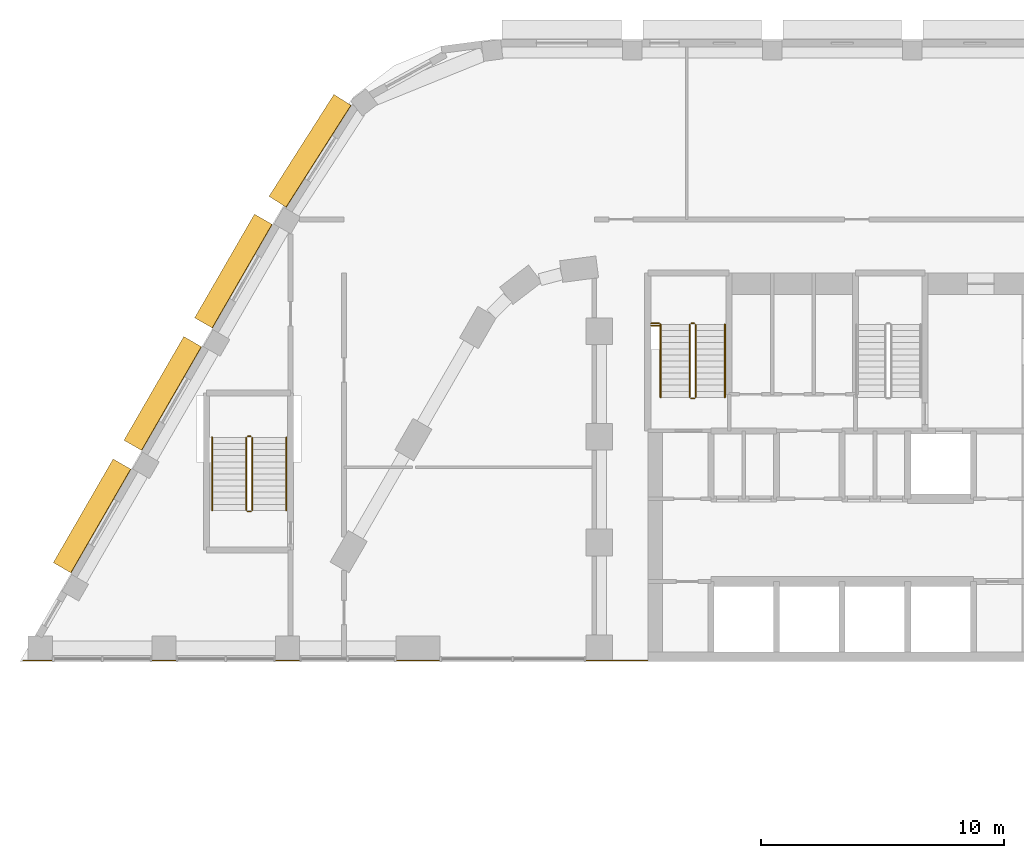
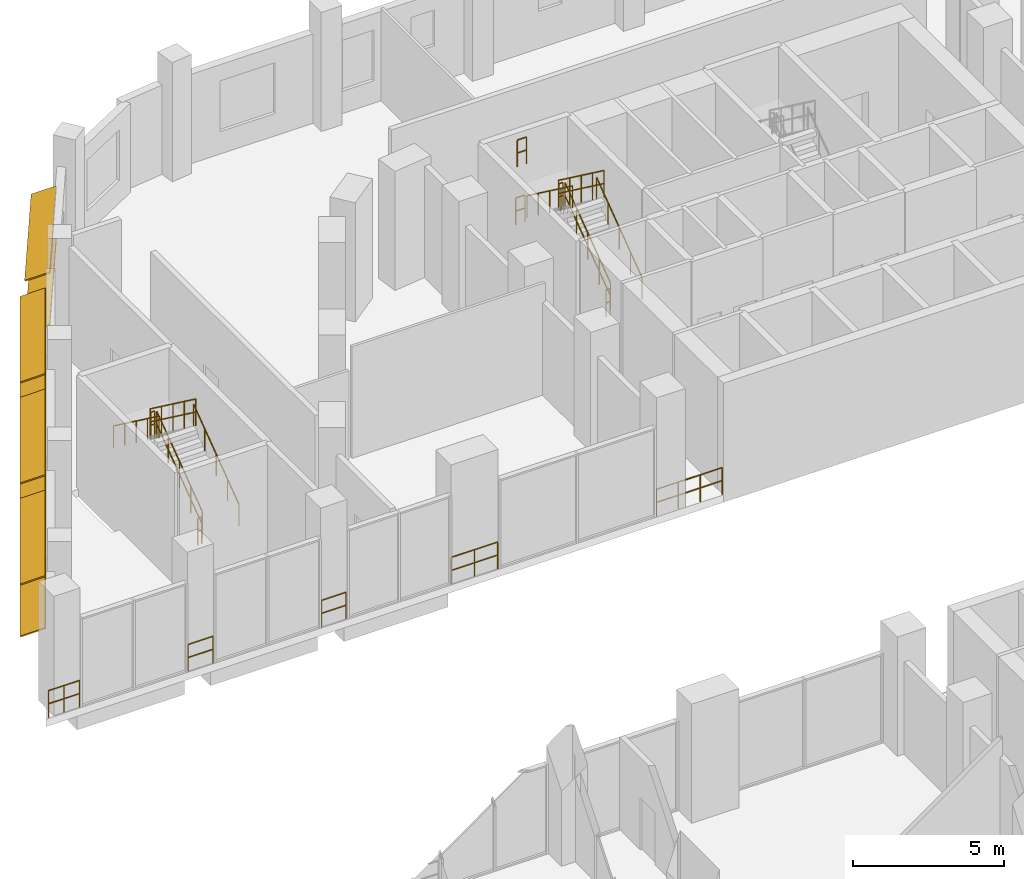
# One storey, part 38 of 45: 19 railings, 8 shading devices.
"""IFC4 building model written with IfcOpenShell, lengths in metres."""

from ifc_helpers import new_model, si_unit, direction, frame, origin, origin_2d, place, context, subcontext, project, spatial, rectangle, circle, extrude, material, material_profile, profile_set, type_object, element, save


model = new_model("IFC4")

# Units and contexts
model_context = context("Model", 3, precision=1e-05, world=origin(), true_north=direction((0.0, 1.0)))
body_context = subcontext(model_context, "Body", "Model", "MODEL_VIEW")
ifc_project = project(units=[si_unit("LENGTHUNIT", "METRE"), si_unit("AREAUNIT", "SQUARE_METRE"), si_unit("VOLUMEUNIT", "CUBIC_METRE"), si_unit("PLANEANGLEUNIT", "RADIAN"), si_unit("MASSUNIT", "GRAM", prefix="KILO")], contexts=[model_context])

# Site, building, storey
site_placement = place(None, origin())
site = spatial("IfcSite", under=ifc_project, at=site_placement, CompositionType="ELEMENT")
building_placement = place(site_placement, origin())
building = spatial("IfcBuilding", under=site, at=building_placement, Name="Nakaniwa Court", CompositionType="ELEMENT")
storey_placement = place(building_placement, frame((0.0, 0.0, 6.60009765625)))
storey = spatial("IfcBuildingStorey", under=building, at=storey_placement, Name="L01", CompositionType="ELEMENT", Elevation=6.60009765625)

# Shading devices
ifc_material_1 = material(Name="Perforated charcoal ceramic louvre blade")
ifc_material_profile = material_profile(ifc_material_1, rectangle(XDim=0.89990234375, YDim=0.050048828125, at=origin_2d()), Name="Perforated ceramic louvre blade")
ifc_profile_set = profile_set([ifc_material_profile], Name="Perforated charcoal ceramic louvre blade")
shading_device_type = type_object("IfcShadingDeviceType", Name="Perforated ceramic louvre blade", PredefinedType="JALOUSIE", material=ifc_profile_set)
for number, where, z_axis, x_axis, name in (
    (1, (56.184814453125, 105.6015625, 0.5498046875), (-0.499988503985, -0.86603204091, 0.0), (0.800109277096, -0.461929145323, 0.382683432365), "L01 perforated ceramic louvre blade w27 1"),
    (2, (56.184814453125, 105.6015625, 2.64990234375), (-0.499988503985, -0.86603204091, 0.0), (0.800109277096, -0.461929145323, 0.382683432365), "L01 perforated ceramic louvre blade w27 2"),
    (3, (53.2763671875, 100.564208984375, 0.5498046875), (-0.499951322638, -0.866053505849, 0.0), (0.800129108113, -0.461894794237, 0.382683432365), "L01 perforated ceramic louvre blade w28 1"),
    (4, (53.2763671875, 100.564208984375, 2.64990234375), (-0.499951322638, -0.866053505849, 0.0), (0.800129108113, -0.461894794237, 0.382683432365), "L01 perforated ceramic louvre blade w28 2"),
    (5, (50.3681640625, 95.526611328125, 0.5498046875), (-0.500009969958, -0.86601964755, 0.0), (0.800097827124, -0.461948977295, 0.382683432365), "L01 perforated ceramic louvre blade w29 1"),
    (6, (50.3681640625, 95.526611328125, 2.64990234375), (-0.500009969958, -0.86601964755, 0.0), (0.800097827124, -0.461948977295, 0.382683432365), "L01 perforated ceramic louvre blade w29 2"),
):
    element("IfcShadingDevice", number, at=place(storey_placement, frame(where, z_axis=z_axis, x_axis=x_axis)), inside=storey, type_object=shading_device_type, Name=name, PredefinedType="JALOUSIE", context=body_context, shape_type="SweptSolid", body=[
        extrude(rectangle(XDim=0.89990234375, YDim=0.050048828125, at=origin_2d()), origin(), (0.0, 0.0, 1.0), 4.9248046875),
    ])
for number, where, z_axis, x_axis, name in (
    (7, (59.44287109375, 110.513427734375, 0.5498046875), (-0.537237750098, -0.843430850675, 0.0), (0.775805827955, -0.494162831713, 0.392337116604), "L01 perforated ceramic louvre blade w53 1"),
    (8, (59.44287109375, 110.513427734375, 2.64990234375), (-0.537237750098, -0.843430850675, 0.0), (0.775805827955, -0.494162831713, 0.392337116604), "L01 perforated ceramic louvre blade w53 2"),
):
    element("IfcShadingDevice", number, at=place(storey_placement, frame(where, z_axis=z_axis, x_axis=x_axis)), inside=storey, type_object=shading_device_type, Name=name, PredefinedType="JALOUSIE", context=body_context, shape_type="SweptSolid", body=[
        extrude(rectangle(XDim=0.89990234375, YDim=0.050048828125, at=origin_2d()), origin(), (0.0, 0.0, 1.0), 4.970703125),
    ])

# Railings
ifc_material_2 = material(Name="Black powder coated steel guard", Category="steel")
railing_type_1 = type_object("IfcRailingType", Name="Stair guard 1100", PredefinedType="GUARDRAIL", material=ifc_material_2)
railing_1_placement = place(storey_placement, frame((73.97509765625, 98.27490234375, 0.1845703125)))
element("IfcRailing", 9, at=railing_1_placement, inside=storey, type_object=railing_type_1, Name="L01 ST1 stair guard 1", PredefinedType="GUARDRAIL", context=body_context, shape_type="SweptSolid", body=[
    extrude(circle(Radius=0.02392578125, at=origin_2d()), frame((0.0, 0.0, 1.076171875), z_axis=(0.0, 0.804440004972, 0.594033903411), x_axis=(-1.0, 0.0, 0.0)), (0.0, 0.0, 1.0), 3.729248046875),
    extrude(circle(Radius=0.02392578125, at=origin_2d()), frame((0.0, 0.0, 0.550048828125), z_axis=(0.0, 0.804440004972, 0.594033903411), x_axis=(-1.0, 0.0, 0.0)), (0.0, 0.0, 1.0), 3.729248046875),
    extrude(circle(Radius=0.02099609375, at=origin_2d()), origin(), (0.0, 0.0, 1.0), 1.052001953125),
    extrude(circle(Radius=0.02099609375, at=origin_2d()), frame((0.0, 0.75, 0.5537109375)), (0.0, 0.0, 1.0), 1.052001953125),
    extrude(circle(Radius=0.02099609375, at=origin_2d()), frame((0.0, 1.5, 1.107666015625)), (0.0, 0.0, 1.0), 1.052001953125),
    extrude(circle(Radius=0.02099609375, at=origin_2d()), frame((0.0, 2.25, 1.66162109375)), (0.0, 0.0, 1.0), 1.052001953125),
    extrude(circle(Radius=0.02099609375, at=origin_2d()), frame((0.0, 3.0, 2.21533203125)), (0.0, 0.0, 1.0), 1.052001953125),
])
railing_2_placement = place(storey_placement, frame((73.925048828125, 101.324951171875, 2.39990234375)))
element("IfcRailing", 10, at=railing_2_placement, inside=storey, type_object=railing_type_1, Name="L01 ST1 stair guard 2", PredefinedType="GUARDRAIL", context=body_context, shape_type="SweptSolid", body=[
    extrude(circle(Radius=0.02392578125, at=origin_2d()), frame((0.0, 0.0, 1.076171875), z_axis=(-1.0, 0.0, 0.0), x_axis=(0.0, -1.0, 0.0)), (0.0, 0.0, 1.0), 0.150146484375),
    extrude(circle(Radius=0.02392578125, at=origin_2d()), frame((0.0, 0.0, 0.550048828125), z_axis=(-1.0, 0.0, 0.0), x_axis=(0.0, -1.0, 0.0)), (0.0, 0.0, 1.0), 0.150146484375),
    extrude(circle(Radius=0.02099609375, at=origin_2d()), origin(), (0.0, 0.0, 1.0), 1.052001953125),
    extrude(circle(Radius=0.02099609375, at=origin_2d()), frame((-0.150146484375, 0.0, 0.0)), (0.0, 0.0, 1.0), 1.052001953125),
])
railing_3_placement = place(storey_placement, frame((73.72509765625, 101.27490234375, 2.58447265625)))
element("IfcRailing", 11, at=railing_3_placement, inside=storey, type_object=railing_type_1, Name="L01 ST1 stair guard 3", PredefinedType="GUARDRAIL", context=body_context, shape_type="SweptSolid", body=[
    extrude(circle(Radius=0.02392578125, at=origin_2d()), frame((0.0, 0.0, 1.076171875), z_axis=(0.0, -0.804440004972, 0.594033903411), x_axis=(1.0, 0.0, 0.0)), (0.0, 0.0, 1.0), 3.729248046875),
    extrude(circle(Radius=0.02392578125, at=origin_2d()), frame((0.0, 0.0, 0.550048828125), z_axis=(0.0, -0.804440004972, 0.594033903411), x_axis=(1.0, 0.0, 0.0)), (0.0, 0.0, 1.0), 3.729248046875),
    extrude(circle(Radius=0.02099609375, at=origin_2d()), origin(), (0.0, 0.0, 1.0), 1.052001953125),
    extrude(circle(Radius=0.02099609375, at=origin_2d()), frame((0.0, -0.75, 0.5537109375)), (0.0, 0.0, 1.0), 1.052001953125),
    extrude(circle(Radius=0.02099609375, at=origin_2d()), frame((0.0, -1.5, 1.107666015625)), (0.0, 0.0, 1.0), 1.052001953125),
    extrude(circle(Radius=0.02099609375, at=origin_2d()), frame((0.0, -2.25, 1.66162109375)), (0.0, 0.0, 1.0), 1.052001953125),
    extrude(circle(Radius=0.02099609375, at=origin_2d()), frame((0.0, -3.0, 2.21533203125)), (0.0, 0.0, 1.0), 1.052001953125),
])
railing_4_placement = place(storey_placement, frame((73.925048828125, 98.22509765625, 0.0)))
element("IfcRailing", 12, at=railing_4_placement, inside=storey, type_object=railing_type_1, Name="L01 ST1 stair guard 4", PredefinedType="GUARDRAIL", context=body_context, shape_type="SweptSolid", body=[
    extrude(circle(Radius=0.02392578125, at=origin_2d()), frame((0.0, 0.0, 1.076171875), z_axis=(-1.0, 0.0, 0.0), x_axis=(0.0, -1.0, 0.0)), (0.0, 0.0, 1.0), 0.150146484375),
    extrude(circle(Radius=0.02392578125, at=origin_2d()), frame((0.0, 0.0, 0.550048828125), z_axis=(-1.0, 0.0, 0.0), x_axis=(0.0, -1.0, 0.0)), (0.0, 0.0, 1.0), 0.150146484375),
    extrude(circle(Radius=0.02099609375, at=origin_2d()), origin(), (0.0, 0.0, 1.0), 1.052001953125),
    extrude(circle(Radius=0.02099609375, at=origin_2d()), frame((-0.150146484375, 0.0, 0.0)), (0.0, 0.0, 1.0), 1.052001953125),
])
for number, where, name in (
    (13, (72.125, 101.324951171875, 2.39990234375), "L01 ST1 landing side guard 1W"),
    (14, (72.125, 101.22509765625, 4.7998046875), "L01 ST1 floor edge guard 1W"),
):
    element("IfcRailing", number, at=place(storey_placement, frame(where)), inside=storey, type_object=railing_type_1, Name=name, PredefinedType="GUARDRAIL", context=body_context, shape_type="SweptSolid", body=[
        extrude(circle(Radius=0.02392578125, at=origin_2d()), frame((0.0, 0.0, 1.076171875), z_axis=(1.0, 0.0, 0.0), x_axis=(0.0, 1.0, 0.0)), (0.0, 0.0, 1.0), 0.35009765625),
        extrude(circle(Radius=0.02392578125, at=origin_2d()), frame((0.0, 0.0, 0.550048828125), z_axis=(1.0, 0.0, 0.0), x_axis=(0.0, 1.0, 0.0)), (0.0, 0.0, 1.0), 0.35009765625),
        extrude(circle(Radius=0.02099609375, at=origin_2d()), origin(), (0.0, 0.0, 1.0), 1.052001953125),
        extrude(circle(Radius=0.02099609375, at=origin_2d()), frame((0.35009765625, 0.0, 0.0)), (0.0, 0.0, 1.0), 1.052001953125),
    ])
railing_5_placement = place(storey_placement, frame((55.72509765625, 93.625, 0.1845703125)))
element("IfcRailing", 15, at=railing_5_placement, inside=storey, type_object=railing_type_1, Name="L01 SS2 stair guard 1", PredefinedType="GUARDRAIL", context=body_context, shape_type="SweptSolid", body=[
    extrude(circle(Radius=0.02392578125, at=origin_2d()), frame((0.0, 0.0, 1.076171875), z_axis=(0.0, 0.804440004972, 0.594033903411), x_axis=(-1.0, 0.0, 0.0)), (0.0, 0.0, 1.0), 3.729248046875),
    extrude(circle(Radius=0.02392578125, at=origin_2d()), frame((0.0, 0.0, 0.550048828125), z_axis=(0.0, 0.804440004972, 0.594033903411), x_axis=(-1.0, 0.0, 0.0)), (0.0, 0.0, 1.0), 3.729248046875),
    extrude(circle(Radius=0.02099609375, at=origin_2d()), origin(), (0.0, 0.0, 1.0), 1.052001953125),
    extrude(circle(Radius=0.02099609375, at=origin_2d()), frame((0.0, 0.75, 0.5537109375)), (0.0, 0.0, 1.0), 1.052001953125),
    extrude(circle(Radius=0.02099609375, at=origin_2d()), frame((0.0, 1.5, 1.107666015625)), (0.0, 0.0, 1.0), 1.052001953125),
    extrude(circle(Radius=0.02099609375, at=origin_2d()), frame((0.0, 2.25, 1.66162109375)), (0.0, 0.0, 1.0), 1.052001953125),
    extrude(circle(Radius=0.02099609375, at=origin_2d()), frame((0.0, 3.0, 2.21533203125)), (0.0, 0.0, 1.0), 1.052001953125),
])
railing_6_placement = place(storey_placement, frame((55.675048828125, 96.675048828125, 2.39990234375)))
element("IfcRailing", 16, at=railing_6_placement, inside=storey, type_object=railing_type_1, Name="L01 SS2 stair guard 2", PredefinedType="GUARDRAIL", context=body_context, shape_type="SweptSolid", body=[
    extrude(circle(Radius=0.02392578125, at=origin_2d()), frame((0.0, 0.0, 1.076171875), z_axis=(-1.0, 0.0, 0.0), x_axis=(0.0, -1.0, 0.0)), (0.0, 0.0, 1.0), 0.150146484375),
    extrude(circle(Radius=0.02392578125, at=origin_2d()), frame((0.0, 0.0, 0.550048828125), z_axis=(-1.0, 0.0, 0.0), x_axis=(0.0, -1.0, 0.0)), (0.0, 0.0, 1.0), 0.150146484375),
    extrude(circle(Radius=0.02099609375, at=origin_2d()), origin(), (0.0, 0.0, 1.0), 1.052001953125),
    extrude(circle(Radius=0.02099609375, at=origin_2d()), frame((-0.150146484375, 0.0, 0.0)), (0.0, 0.0, 1.0), 1.052001953125),
])
railing_7_placement = place(storey_placement, frame((55.47509765625, 96.625, 2.58447265625)))
element("IfcRailing", 17, at=railing_7_placement, inside=storey, type_object=railing_type_1, Name="L01 SS2 stair guard 3", PredefinedType="GUARDRAIL", context=body_context, shape_type="SweptSolid", body=[
    extrude(circle(Radius=0.02392578125, at=origin_2d()), frame((0.0, 0.0, 1.076171875), z_axis=(0.0, -0.804440004972, 0.594033903411), x_axis=(1.0, 0.0, 0.0)), (0.0, 0.0, 1.0), 3.729248046875),
    extrude(circle(Radius=0.02392578125, at=origin_2d()), frame((0.0, 0.0, 0.550048828125), z_axis=(0.0, -0.804440004972, 0.594033903411), x_axis=(1.0, 0.0, 0.0)), (0.0, 0.0, 1.0), 3.729248046875),
    extrude(circle(Radius=0.02099609375, at=origin_2d()), origin(), (0.0, 0.0, 1.0), 1.052001953125),
    extrude(circle(Radius=0.02099609375, at=origin_2d()), frame((0.0, -0.75, 0.5537109375)), (0.0, 0.0, 1.0), 1.052001953125),
    extrude(circle(Radius=0.02099609375, at=origin_2d()), frame((0.0, -1.5, 1.107666015625)), (0.0, 0.0, 1.0), 1.052001953125),
    extrude(circle(Radius=0.02099609375, at=origin_2d()), frame((0.0, -2.25, 1.66162109375)), (0.0, 0.0, 1.0), 1.052001953125),
    extrude(circle(Radius=0.02099609375, at=origin_2d()), frame((0.0, -3.0, 2.21533203125)), (0.0, 0.0, 1.0), 1.052001953125),
])
railing_8_placement = place(storey_placement, frame((55.675048828125, 93.574951171875, 0.0)))
element("IfcRailing", 18, at=railing_8_placement, inside=storey, type_object=railing_type_1, Name="L01 SS2 stair guard 4", PredefinedType="GUARDRAIL", context=body_context, shape_type="SweptSolid", body=[
    extrude(circle(Radius=0.02392578125, at=origin_2d()), frame((0.0, 0.0, 1.076171875), z_axis=(-1.0, 0.0, 0.0), x_axis=(0.0, -1.0, 0.0)), (0.0, 0.0, 1.0), 0.150146484375),
    extrude(circle(Radius=0.02392578125, at=origin_2d()), frame((0.0, 0.0, 0.550048828125), z_axis=(-1.0, 0.0, 0.0), x_axis=(0.0, -1.0, 0.0)), (0.0, 0.0, 1.0), 0.150146484375),
    extrude(circle(Radius=0.02099609375, at=origin_2d()), origin(), (0.0, 0.0, 1.0), 1.052001953125),
    extrude(circle(Radius=0.02099609375, at=origin_2d()), frame((-0.150146484375, 0.0, 0.0)), (0.0, 0.0, 1.0), 1.052001953125),
])
railing_9_placement = place(storey_placement, frame((71.985107421875, 87.449951171875, 0.0)))
element("IfcRailing", 19, at=railing_9_placement, inside=storey, type_object=railing_type_1, Name="GUARD GD-L01-016", PredefinedType="GUARDRAIL", context=body_context, shape_type="SweptSolid", body=[
    extrude(circle(Radius=0.02392578125, at=origin_2d()), frame((0.0, 0.0, 1.076171875), z_axis=(-1.0, 0.0, 0.0), x_axis=(0.0, -1.0, 0.0)), (0.0, 0.0, 1.0), 2.507080078125),
    extrude(circle(Radius=0.02392578125, at=origin_2d()), frame((0.0, 0.0, 0.550048828125), z_axis=(-1.0, 0.0, 0.0), x_axis=(0.0, -1.0, 0.0)), (0.0, 0.0, 1.0), 2.507080078125),
    extrude(circle(Radius=0.02099609375, at=origin_2d()), origin(), (0.0, 0.0, 1.0), 1.052001953125),
    extrude(circle(Radius=0.02099609375, at=origin_2d()), frame((-0.835693359375, 0.0, 0.0)), (0.0, 0.0, 1.0), 1.052001953125),
    extrude(circle(Radius=0.02099609375, at=origin_2d()), frame((-1.67138671875, 0.0, 0.0)), (0.0, 0.0, 1.0), 1.052001953125),
    extrude(circle(Radius=0.02099609375, at=origin_2d()), frame((-2.507080078125, 0.0, 0.0)), (0.0, 0.0, 1.0), 1.052001953125),
])
railing_10_placement = place(storey_placement, frame((63.426025390625, 87.449951171875, 0.0)))
element("IfcRailing", 20, at=railing_10_placement, inside=storey, type_object=railing_type_1, Name="GUARD GD-L01-017", PredefinedType="GUARDRAIL", context=body_context, shape_type="SweptSolid", body=[
    extrude(circle(Radius=0.02392578125, at=origin_2d()), frame((0.0, 0.0, 1.076171875), z_axis=(-1.0, 0.0, 0.0), x_axis=(0.0, -1.0, 0.0)), (0.0, 0.0, 1.0), 1.768310546875),
    extrude(circle(Radius=0.02392578125, at=origin_2d()), frame((0.0, 0.0, 0.550048828125), z_axis=(-1.0, 0.0, 0.0), x_axis=(0.0, -1.0, 0.0)), (0.0, 0.0, 1.0), 1.768310546875),
    extrude(circle(Radius=0.02099609375, at=origin_2d()), origin(), (0.0, 0.0, 1.0), 1.052001953125),
    extrude(circle(Radius=0.02099609375, at=origin_2d()), frame((-0.88427734375, 0.0, 0.0)), (0.0, 0.0, 1.0), 1.052001953125),
    extrude(circle(Radius=0.02099609375, at=origin_2d()), frame((-1.768310546875, 0.0, 0.0)), (0.0, 0.0, 1.0), 1.052001953125),
])
railing_11_placement = place(storey_placement, frame((57.643310546875, 87.449951171875, 0.0)))
element("IfcRailing", 21, at=railing_11_placement, inside=storey, type_object=railing_type_1, Name="GUARD GD-L01-018", PredefinedType="GUARDRAIL", context=body_context, shape_type="SweptSolid", body=[
    extrude(circle(Radius=0.02392578125, at=origin_2d()), frame((0.0, 0.0, 1.076171875), z_axis=(-1.0, 0.0, 0.0), x_axis=(0.0, -1.0, 0.0)), (0.0, 0.0, 1.0), 0.939453125),
    extrude(circle(Radius=0.02392578125, at=origin_2d()), frame((0.0, 0.0, 0.550048828125), z_axis=(-1.0, 0.0, 0.0), x_axis=(0.0, -1.0, 0.0)), (0.0, 0.0, 1.0), 0.939453125),
    extrude(circle(Radius=0.02099609375, at=origin_2d()), origin(), (0.0, 0.0, 1.0), 1.052001953125),
    extrude(circle(Radius=0.02099609375, at=origin_2d()), frame((-0.939453125, 0.0, 0.0)), (0.0, 0.0, 1.0), 1.052001953125),
])
railing_12_placement = place(storey_placement, frame((52.569580078125, 87.449951171875, 0.0)))
element("IfcRailing", 22, at=railing_12_placement, inside=storey, type_object=railing_type_1, Name="GUARD GD-L01-019", PredefinedType="GUARDRAIL", context=body_context, shape_type="SweptSolid", body=[
    extrude(circle(Radius=0.02392578125, at=origin_2d()), frame((0.0, 0.0, 1.076171875), z_axis=(-1.0, 0.0, 0.0), x_axis=(0.0, -1.0, 0.0)), (0.0, 0.0, 1.0), 0.95947265625),
    extrude(circle(Radius=0.02392578125, at=origin_2d()), frame((0.0, 0.0, 0.550048828125), z_axis=(-1.0, 0.0, 0.0), x_axis=(0.0, -1.0, 0.0)), (0.0, 0.0, 1.0), 0.95947265625),
    extrude(circle(Radius=0.02099609375, at=origin_2d()), origin(), (0.0, 0.0, 1.0), 1.052001953125),
    extrude(circle(Radius=0.02099609375, at=origin_2d()), frame((-0.95947265625, 0.0, 0.0)), (0.0, 0.0, 1.0), 1.052001953125),
])
railing_13_placement = place(storey_placement, frame((47.486083984375, 87.449951171875, 0.0)))
element("IfcRailing", 23, at=railing_13_placement, inside=storey, type_object=railing_type_1, Name="GUARD GD-L01-020", PredefinedType="GUARDRAIL", context=body_context, shape_type="SweptSolid", body=[
    extrude(circle(Radius=0.02392578125, at=origin_2d()), frame((0.0, 0.0, 1.076171875), z_axis=(-1.0, 0.0, 0.0), x_axis=(0.0, -1.0, 0.0)), (0.0, 0.0, 1.0), 1.18896484375),
    extrude(circle(Radius=0.02392578125, at=origin_2d()), frame((0.0, 0.0, 0.550048828125), z_axis=(-1.0, 0.0, 0.0), x_axis=(0.0, -1.0, 0.0)), (0.0, 0.0, 1.0), 1.18896484375),
    extrude(circle(Radius=0.02099609375, at=origin_2d()), origin(), (0.0, 0.0, 1.0), 1.052001953125),
    extrude(circle(Radius=0.02099609375, at=origin_2d()), frame((-0.594482421875, 0.0, 0.0)), (0.0, 0.0, 1.0), 1.052001953125),
    extrude(circle(Radius=0.02099609375, at=origin_2d()), frame((-1.18896484375, 0.0, 0.0)), (0.0, 0.0, 1.0), 1.052001953125),
])
ifc_material_3 = material(Name="Black powder coated steel handrail", Category="steel")
railing_type_2 = type_object("IfcRailingType", Name="Stair handrail 900", PredefinedType="HANDRAIL", material=ifc_material_3)
railing_14_placement = place(storey_placement, frame((75.175048828125, 98.27490234375, 0.1845703125)))
element("IfcRailing", 24, at=railing_14_placement, inside=storey, type_object=railing_type_2, Name="L01 ST1 stair handrail 1", PredefinedType="HANDRAIL", context=body_context, shape_type="SweptSolid", body=[
    extrude(circle(Radius=0.02392578125, at=origin_2d()), frame((0.0, 0.0, 0.8759765625), z_axis=(0.0, 0.804440004972, 0.594033903411), x_axis=(-1.0, 0.0, 0.0)), (0.0, 0.0, 1.0), 3.729248046875),
    extrude(circle(Radius=0.02099609375, at=origin_2d()), origin(), (0.0, 0.0, 1.0), 0.851806640625),
    extrude(circle(Radius=0.02099609375, at=origin_2d()), frame((0.0, 0.75, 0.5537109375)), (0.0, 0.0, 1.0), 0.851806640625),
    extrude(circle(Radius=0.02099609375, at=origin_2d()), frame((0.0, 1.5, 1.107666015625)), (0.0, 0.0, 1.0), 0.851806640625),
    extrude(circle(Radius=0.02099609375, at=origin_2d()), frame((0.0, 2.25, 1.66162109375)), (0.0, 0.0, 1.0), 0.851806640625),
    extrude(circle(Radius=0.02099609375, at=origin_2d()), frame((0.0, 3.0, 2.21533203125)), (0.0, 0.0, 1.0), 0.851806640625),
])
railing_15_placement = place(storey_placement, frame((72.52490234375, 101.27490234375, 2.58447265625)))
element("IfcRailing", 25, at=railing_15_placement, inside=storey, type_object=railing_type_2, Name="L01 ST1 stair handrail 2", PredefinedType="HANDRAIL", context=body_context, shape_type="SweptSolid", body=[
    extrude(circle(Radius=0.02392578125, at=origin_2d()), frame((0.0, 0.0, 0.8759765625), z_axis=(0.0, -0.804440004972, 0.594033903411), x_axis=(1.0, 0.0, 0.0)), (0.0, 0.0, 1.0), 3.729248046875),
    extrude(circle(Radius=0.02099609375, at=origin_2d()), origin(), (0.0, 0.0, 1.0), 0.851806640625),
    extrude(circle(Radius=0.02099609375, at=origin_2d()), frame((0.0, -0.75, 0.5537109375)), (0.0, 0.0, 1.0), 0.851806640625),
    extrude(circle(Radius=0.02099609375, at=origin_2d()), frame((0.0, -1.5, 1.107666015625)), (0.0, 0.0, 1.0), 0.851806640625),
    extrude(circle(Radius=0.02099609375, at=origin_2d()), frame((0.0, -2.25, 1.66162109375)), (0.0, 0.0, 1.0), 0.851806640625),
    extrude(circle(Radius=0.02099609375, at=origin_2d()), frame((0.0, -3.0, 2.21533203125)), (0.0, 0.0, 1.0), 0.851806640625),
])
railing_16_placement = place(storey_placement, frame((57.125, 93.625, 0.1845703125)))
element("IfcRailing", 26, at=railing_16_placement, inside=storey, type_object=railing_type_2, Name="L01 SS2 stair handrail 1", PredefinedType="HANDRAIL", context=body_context, shape_type="SweptSolid", body=[
    extrude(circle(Radius=0.02392578125, at=origin_2d()), frame((0.0, 0.0, 0.8759765625), z_axis=(0.0, 0.804440004972, 0.594033903411), x_axis=(-1.0, 0.0, 0.0)), (0.0, 0.0, 1.0), 3.729248046875),
    extrude(circle(Radius=0.02099609375, at=origin_2d()), origin(), (0.0, 0.0, 1.0), 0.851806640625),
    extrude(circle(Radius=0.02099609375, at=origin_2d()), frame((0.0, 0.75, 0.5537109375)), (0.0, 0.0, 1.0), 0.851806640625),
    extrude(circle(Radius=0.02099609375, at=origin_2d()), frame((0.0, 1.5, 1.107666015625)), (0.0, 0.0, 1.0), 0.851806640625),
    extrude(circle(Radius=0.02099609375, at=origin_2d()), frame((0.0, 2.25, 1.66162109375)), (0.0, 0.0, 1.0), 0.851806640625),
    extrude(circle(Radius=0.02099609375, at=origin_2d()), frame((0.0, 3.0, 2.21533203125)), (0.0, 0.0, 1.0), 0.851806640625),
])
railing_17_placement = place(storey_placement, frame((54.074951171875, 96.625, 2.58447265625)))
element("IfcRailing", 27, at=railing_17_placement, inside=storey, type_object=railing_type_2, Name="L01 SS2 stair handrail 2", PredefinedType="HANDRAIL", context=body_context, shape_type="SweptSolid", body=[
    extrude(circle(Radius=0.02392578125, at=origin_2d()), frame((0.0, 0.0, 0.8759765625), z_axis=(0.0, -0.804440004972, 0.594033903411), x_axis=(1.0, 0.0, 0.0)), (0.0, 0.0, 1.0), 3.729248046875),
    extrude(circle(Radius=0.02099609375, at=origin_2d()), origin(), (0.0, 0.0, 1.0), 0.851806640625),
    extrude(circle(Radius=0.02099609375, at=origin_2d()), frame((0.0, -0.75, 0.5537109375)), (0.0, 0.0, 1.0), 0.851806640625),
    extrude(circle(Radius=0.02099609375, at=origin_2d()), frame((0.0, -1.5, 1.107666015625)), (0.0, 0.0, 1.0), 0.851806640625),
    extrude(circle(Radius=0.02099609375, at=origin_2d()), frame((0.0, -2.25, 1.66162109375)), (0.0, 0.0, 1.0), 0.851806640625),
    extrude(circle(Radius=0.02099609375, at=origin_2d()), frame((0.0, -3.0, 2.21533203125)), (0.0, 0.0, 1.0), 0.851806640625),
])

save(model, "model.ifc")
